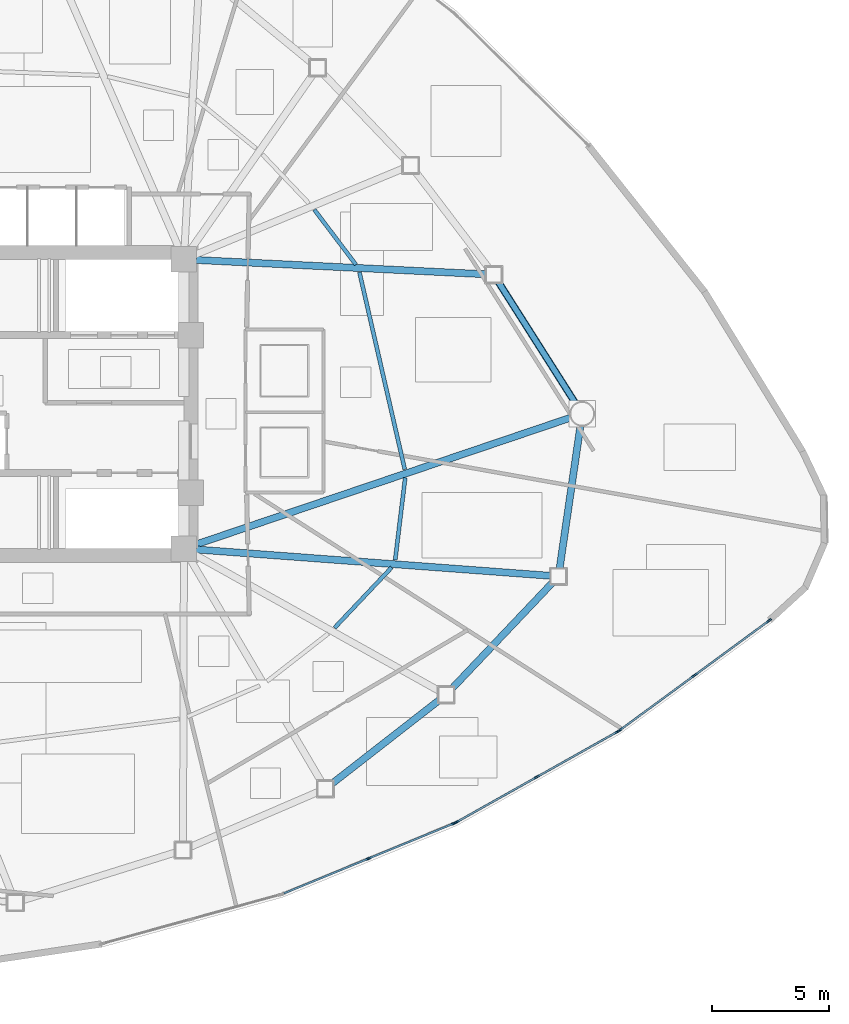
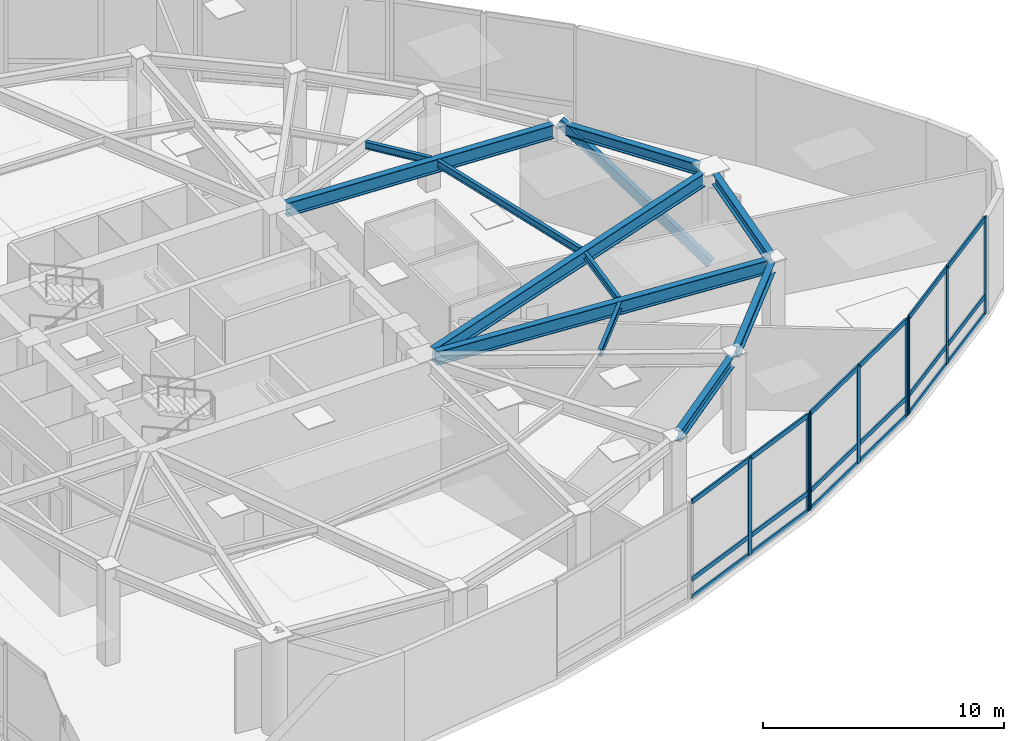
# One storey, part 5 of 14: 27 members, 11 beams, 3 elements without a shape of their own.
"""IFC4 building model written with IfcOpenShell, lengths in metres."""

import ifcopenshell
import ifcopenshell.guid

model = None  # the IFC model being written
_history = None  # IfcOwnerHistory: only IFC2X3 demands one
_inside = {}  # id of a spatial element -> (the spatial element, [elements in it])
_under = {}  # id of a project, library or spatial element -> (it, [spatial elements below it])
_declared = {}  # id of a project -> (the project, [libraries it declares])
_typed = {}  # id of a type object -> (the type object, [elements of that type])
_made_of = {}  # id of a material, layer set ... -> (it, [elements and type objects made of it])


def new_model(schema):
    """Start an empty IFC model of exactly this schema.

    Asked for "IFC4X3", IfcOpenShell would pick the latest addendum, in which some entities
    have other attributes; the version numbers below select the first issue.
    IFC2X3 requires an IfcOwnerHistory on every rooted entity: one is made here for all.
    """
    global model, _history
    if schema == "IFC4X3":
        model = ifcopenshell.file(schema_version=(4, 3, 0, 0))
    else:
        model = ifcopenshell.file(schema=schema)
    _inside.clear()
    _under.clear()
    _declared.clear()
    _typed.clear()
    _made_of.clear()
    _history = None
    if model.schema == "IFC2X3":
        org = make("IfcOrganization", Name="unknown")
        user = make(
            "IfcPersonAndOrganization",
            ThePerson=make("IfcPerson", FamilyName="unknown"),
            TheOrganization=org,
        )
        app = make(
            "IfcApplication",
            ApplicationDeveloper=org,
            Version="unknown",
            ApplicationFullName="unknown",
            ApplicationIdentifier="unknown",
        )
        _history = make(
            "IfcOwnerHistory",
            OwningUser=user,
            OwningApplication=app,
            ChangeAction="ADDED",
            CreationDate=0,
        )
    return model


def make(cls, **values):
    """One entity of the class cls with the attributes given. An attribute that is None is left unset."""
    return model.create_entity(
        cls, **{name: value for name, value in values.items() if value is not None}
    )


def rooted(cls, **values):
    """An entity with a GlobalId (a new one), such as an element, a storey or a relation."""
    return make(cls, GlobalId=ifcopenshell.guid.new(), OwnerHistory=_history, **values)


def si_unit(unit_type, name, prefix=None):
    """IfcSIUnit, for example si_unit("LENGTHUNIT", "METRE", prefix="MILLI")."""
    return make("IfcSIUnit", UnitType=unit_type, Prefix=prefix, Name=name)


def assignment(units):
    """IfcUnitAssignment: the units of a project."""
    return None if units is None else make("IfcUnitAssignment", Units=units)


def point(xyz):
    """IfcCartesianPoint."""
    return None if xyz is None else make("IfcCartesianPoint", Coordinates=xyz)


def direction(xyz):
    """IfcDirection."""
    return None if xyz is None else make("IfcDirection", DirectionRatios=xyz)


def frame(location, z_axis=None, x_axis=None):
    """IfcAxis2Placement3D, a coordinate frame: its origin and axes. An axis left out is left unset."""
    return make(
        "IfcAxis2Placement3D",
        Location=point(location),
        Axis=direction(z_axis),
        RefDirection=direction(x_axis),
    )


def frame_2d(location, x_axis=None):
    """IfcAxis2Placement2D, a coordinate frame in the plane: its origin and x axis."""
    return make(
        "IfcAxis2Placement2D", Location=point(location), RefDirection=direction(x_axis)
    )


def origin():
    """The frame at (0, 0, 0) with its axes left unset."""
    return frame((0.0, 0.0, 0.0))


def origin_2d():
    """The frame at (0, 0) in the plane with its x axis left unset."""
    return frame_2d((0.0, 0.0))


def place(relative_to, where):
    """IfcLocalPlacement: puts the frame where relative to a parent placement (None: the world)."""
    return make(
        "IfcLocalPlacement", PlacementRelTo=relative_to, RelativePlacement=where
    )


def context(
    kind, dimensions, precision=None, world=None, true_north=None, identifier=None
):
    """IfcGeometricRepresentationContext, for example the 3D "Model" context."""
    return make(
        "IfcGeometricRepresentationContext",
        ContextIdentifier=identifier,
        ContextType=kind,
        CoordinateSpaceDimension=dimensions,
        Precision=precision,
        WorldCoordinateSystem=world,
        TrueNorth=true_north,
    )


def subcontext(parent, identifier, kind, view, scale=None):
    """IfcGeometricRepresentationSubContext, for example "Body" below "Model"."""
    return make(
        "IfcGeometricRepresentationSubContext",
        ContextIdentifier=identifier,
        ContextType=kind,
        ParentContext=parent,
        TargetScale=scale,
        TargetView=view,
    )


def project(units=None, contexts=None):
    """IfcProject with its units and contexts."""
    return rooted(
        "IfcProject",
        Name="project",
        RepresentationContexts=contexts,
        UnitsInContext=assignment(units),
    )


def spatial(cls, under=None, at=None, **own):
    """A site, building, storey or space (cls), placed at a placement, below another one or the project."""
    s = rooted(cls, ObjectPlacement=at, **own)
    if under is not None:
        _under.setdefault(under.id(), (under, []))[1].append(s)
    return s


def profile(cls, at=None, kind="AREA", **sizes):
    """A parametric profile (cls). Its sizes go by their IFC names, for example OverallWidth=200.0."""
    return make(cls, ProfileType=kind, Position=at, **sizes)


def hollow_rectangle(**sizes):
    """IfcRectangleHollowProfileDef."""
    return profile("IfcRectangleHollowProfileDef", **sizes)


def i_section(**sizes):
    """IfcIShapeProfileDef."""
    return profile("IfcIShapeProfileDef", **sizes)


def extrude(swept, where, along, depth):
    """IfcExtrudedAreaSolid: the profile swept, set in the frame where, extruded along a direction by depth."""
    return make(
        "IfcExtrudedAreaSolid",
        SweptArea=swept,
        Position=where,
        ExtrudedDirection=direction(along),
        Depth=depth,
    )


def shape(context_of_items, identifier, shape_type, items):
    """IfcShapeRepresentation: the items that make up one representation, for example the "Body"."""
    return make(
        "IfcShapeRepresentation",
        ContextOfItems=context_of_items,
        RepresentationIdentifier=identifier,
        RepresentationType=shape_type,
        Items=items,
    )


def source(mapping_origin, context_of_items, identifier, shape_type, items):
    """IfcRepresentationMap: a shape defined once, which mapped items show again and again."""
    return make(
        "IfcRepresentationMap",
        MappingOrigin=mapping_origin,
        MappedRepresentation=shape(context_of_items, identifier, shape_type, items),
    )


def transform(
    local_origin,
    x_axis=None,
    y_axis=None,
    z_axis=None,
    scale=None,
    scale2=None,
    scale3=None,
    uniform=True,
):
    """IfcCartesianTransformationOperator3D, or its non-uniform kind. x_axis, y_axis, z_axis: its Axis1, 2, 3."""
    if uniform:
        return make(
            "IfcCartesianTransformationOperator3D",
            Axis1=direction(x_axis),
            Axis2=direction(y_axis),
            LocalOrigin=point(local_origin),
            Scale=scale,
            Axis3=direction(z_axis),
        )
    return make(
        "IfcCartesianTransformationOperator3DnonUniform",
        Axis1=direction(x_axis),
        Axis2=direction(y_axis),
        LocalOrigin=point(local_origin),
        Scale=scale,
        Axis3=direction(z_axis),
        Scale2=scale2,
        Scale3=scale3,
    )


def mapped(mapping_source, mapping_target):
    """IfcMappedItem: shows the shape of a source again, moved by a transform."""
    return make(
        "IfcMappedItem", MappingSource=mapping_source, MappingTarget=mapping_target
    )


def material(Name=None, Category=None):
    """IfcMaterial."""
    return make("IfcMaterial", Name=Name, Category=Category)


def layer(
    of_material, thickness, ventilated=None, Name=None, Category=None, Priority=None
):
    """IfcMaterialLayer: one layer of a wall or slab, of a material (None: an air gap)."""
    return make(
        "IfcMaterialLayer",
        Material=of_material,
        LayerThickness=thickness,
        IsVentilated=ventilated,
        Name=Name,
        Category=Category,
        Priority=Priority,
    )


def layer_set(layers, Name=None):
    """IfcMaterialLayerSet."""
    return make("IfcMaterialLayerSet", MaterialLayers=layers, LayerSetName=Name)


def material_profile(
    of_material, cross_section, Name=None, Category=None, Priority=None
):
    """IfcMaterialProfile: a cross section and its material."""
    return make(
        "IfcMaterialProfile",
        Name=Name,
        Material=of_material,
        Profile=cross_section,
        Priority=Priority,
        Category=Category,
    )


def profile_set(profiles, Name=None, composite=None):
    """IfcMaterialProfileSet."""
    return make(
        "IfcMaterialProfileSet",
        Name=Name,
        MaterialProfiles=profiles,
        CompositeProfile=composite,
    )


def made_of(thing, what):
    """Note that an element or type object is made of a material, layer set ...; save() writes the relation."""
    if what is not None:
        _made_of.setdefault(what.id(), (what, []))[1].append(thing)
    return thing


def type_object(cls, material=None, **own):
    """A type object (cls), such as IfcWallType, which elements share."""
    return made_of(rooted(cls, **own), material)


def type_shapes(of_type, sources):
    """Give a type object the sources (RepresentationMaps) that its elements show as mapped items."""
    of_type.RepresentationMaps = sources


def element(
    cls,
    number,
    at=None,
    inside=None,
    cuts=None,
    type_object=None,
    material=None,
    context=None,
    identifier="Body",
    shape_type=None,
    held_by="IfcProductDefinitionShape",
    body=None,
    shapes=None,
    **own,
):
    """One element of the class cls, such as IfcWall. Its Tag is "e" and its number.

    at: its placement. inside: the storey or other place that contains it. cuts: it is an
    opening in that element (IfcRelVoidsElement). A single representation is given by context,
    identifier, shape_type and body (its items); several are given by shapes. held_by: the class
    of the entity that holds the representations. save() writes the other relations.
    """
    e = rooted(cls, Tag="e%d" % number, ObjectPlacement=at, **own)
    if body is not None:
        shapes = [shape(context, identifier, shape_type, body)]
    if shapes is not None:
        e.Representation = make(held_by, Representations=shapes)
    if inside is not None:
        _inside.setdefault(inside.id(), (inside, []))[1].append(e)
    if cuts is not None:
        rooted(
            "IfcRelVoidsElement", RelatingBuildingElement=cuts, RelatedOpeningElement=e
        )
    if type_object is not None:
        _typed.setdefault(type_object.id(), (type_object, []))[1].append(e)
    return made_of(e, material)


def aggregate(whole, parts):
    """IfcRelAggregates: a whole, such as a stair, and the parts it consists of."""
    return rooted("IfcRelAggregates", RelatingObject=whole, RelatedObjects=parts)


def save(model, path):
    """Write the relations noted so far, then the file.

    IfcRelAggregates (storeys below a building ...), IfcRelContainedInSpatialStructure (elements
    in a storey), IfcRelDefinesByType, IfcRelAssociatesMaterial and IfcRelDeclares: one each for
    every whole, place, type object, material and project.
    """
    for whole, parts in _under.values():
        aggregate(whole, parts)
    for where, things in _inside.values():
        rooted(
            "IfcRelContainedInSpatialStructure",
            RelatedElements=things,
            RelatingStructure=where,
        )
    for kind, things in _typed.values():
        rooted("IfcRelDefinesByType", RelatedObjects=things, RelatingType=kind)
    for what, things in _made_of.values():
        rooted("IfcRelAssociatesMaterial", RelatedObjects=things, RelatingMaterial=what)
    for by, libraries in _declared.values():
        rooted("IfcRelDeclares", RelatingContext=by, RelatedDefinitions=libraries)
    model.write(path)


model = new_model("IFC4")

# Units and contexts
model_context = context("Model", 3, precision=1e-05, world=origin(), true_north=direction((0.0, 1.0)))
body_context = subcontext(model_context, "Body", "Model", "MODEL_VIEW")
ifc_project = project(units=[si_unit("LENGTHUNIT", "METRE"), si_unit("AREAUNIT", "SQUARE_METRE"), si_unit("VOLUMEUNIT", "CUBIC_METRE"), si_unit("PLANEANGLEUNIT", "RADIAN"), si_unit("MASSUNIT", "GRAM", prefix="KILO")], contexts=[model_context])

# Site, building, storey
site_placement = place(None, origin())
site = spatial("IfcSite", under=ifc_project, at=site_placement, CompositionType="ELEMENT")
building_placement = place(site_placement, origin())
building = spatial("IfcBuilding", under=site, at=building_placement, Name="Tavelor Broadcast Tower", CompositionType="ELEMENT")
storey_placement = place(building_placement, frame((0.0, 0.0, 110.39990234375)))
storey = spatial("IfcBuildingStorey", under=building, at=storey_placement, Name="L25", CompositionType="ELEMENT", Elevation=110.39990234375)

# Beams
ifc_material_1 = material(Name="Steel S355", Category="steel")
ifc_material_profile_1 = material_profile(ifc_material_1, i_section(OverallWidth=0.169921875, OverallDepth=0.360107421875, WebThickness=0.008056640625, FlangeThickness=0.0126953125, at=origin_2d()), Name="IPE 360")
ifc_profile_set_1 = profile_set([ifc_material_profile_1], Name="Steel S355")
beam_type_1 = type_object("IfcBeamType", Name="Composite Floor Joist T3 IPE 360", PredefinedType="JOIST", material=ifc_profile_set_1)
beam_1_placement = place(storey_placement, frame((63.05859375, 35.39990234375, 4.72021484375), z_axis=(0.686806065531, 0.726840717317, 0.0), x_axis=(-0.726840717317, 0.686806065531, 0.0)))
element("IfcBeam", 1, at=beam_1_placement, inside=storey, type_object=beam_type_1, Name="L25 Secondary Composite Floor Joist 11", PredefinedType="JOIST", context=body_context, shape_type="SweptSolid", body=[
    extrude(i_section(OverallWidth=0.169921875, OverallDepth=0.360107421875, WebThickness=0.008056640625, FlangeThickness=0.0126953125, at=origin_2d()), origin(), (0.0, 0.0, 1.0), 3.573486328125),
])
beam_2_placement = place(storey_placement, frame((65.6591796875, 38.30859375, 4.72021484375), z_axis=(0.120874566199, 0.992667788964, 0.0), x_axis=(-0.992667788964, 0.120874566199, 0.0)))
element("IfcBeam", 2, at=beam_2_placement, inside=storey, type_object=beam_type_1, Name="L25 Secondary Composite Floor Joist 12", PredefinedType="JOIST", context=body_context, shape_type="SweptSolid", body=[
    extrude(i_section(OverallWidth=0.169921875, OverallDepth=0.360107421875, WebThickness=0.008056640625, FlangeThickness=0.0126953125, at=origin_2d()), origin(), (0.0, 0.0, 1.0), 3.556884765625),
])
beam_3_placement = place(storey_placement, frame((66.0703125, 42.1953125, 4.72021484375), z_axis=(-0.224119909946, 0.974561576282, 0.0), x_axis=(-0.974561576282, -0.224119909946, 0.0)))
element("IfcBeam", 3, at=beam_3_placement, inside=storey, type_object=beam_type_1, Name="L25 Secondary Composite Floor Joist 13", PredefinedType="JOIST", context=body_context, shape_type="SweptSolid", body=[
    extrude(i_section(OverallWidth=0.169921875, OverallDepth=0.360107421875, WebThickness=0.008056640625, FlangeThickness=0.0126953125, at=origin_2d()), origin(), (0.0, 0.0, 1.0), 8.6796875),
])
beam_4_placement = place(storey_placement, frame((63.97509765625, 50.974853515625, 4.72021484375), z_axis=(-0.603343158319, 0.797481682116, 0.0), x_axis=(-0.797481682116, -0.603343158319, 0.0)))
element("IfcBeam", 4, at=beam_4_placement, inside=storey, type_object=beam_type_1, Name="L25 Secondary Composite Floor Joist 14", PredefinedType="JOIST", context=body_context, shape_type="SweptSolid", body=[
    extrude(i_section(OverallWidth=0.169921875, OverallDepth=0.360107421875, WebThickness=0.008056640625, FlangeThickness=0.0126953125, at=origin_2d()), origin(), (0.0, 0.0, 1.0), 2.951416015625),
])
ifc_material_profile_2 = material_profile(ifc_material_1, i_section(OverallWidth=0.300048828125, OverallDepth=0.550048828125, WebThickness=0.014892578125, FlangeThickness=0.029052734375, at=origin_2d()), Name="HEB 550")
ifc_profile_set_2 = profile_set([ifc_material_profile_2], Name="Steel S355")
beam_type_2 = type_object("IfcBeamType", Name="Perimeter Spandrel Beam T3 HEB 550", PredefinedType="SPANDREL", material=ifc_profile_set_2)
beam_5_placement = place(storey_placement, frame((62.934326171875, 28.709716796875, 4.625), z_axis=(0.788970059341, 0.614431644257, 0.0), x_axis=(-0.614431644257, 0.788970059341, 0.0)))
element("IfcBeam", 5, at=beam_5_placement, inside=storey, type_object=beam_type_2, Name="L25 Framed-Tube Ring Spandrel 10", PredefinedType="SPANDREL", context=body_context, shape_type="SweptSolid", body=[
    extrude(i_section(OverallWidth=0.300048828125, OverallDepth=0.550048828125, WebThickness=0.014892578125, FlangeThickness=0.029052734375, at=origin_2d()), origin(), (0.0, 0.0, 1.0), 5.884765625),
])
beam_6_placement = place(storey_placement, frame((68.073486328125, 32.775390625, 4.625), z_axis=(0.688378130541, 0.72535201757, 0.0), x_axis=(-0.72535201757, 0.688378130541, 0.0)))
element("IfcBeam", 6, at=beam_6_placement, inside=storey, type_object=beam_type_2, Name="L25 Framed-Tube Ring Spandrel 11", PredefinedType="SPANDREL", context=body_context, shape_type="SweptSolid", body=[
    extrude(i_section(OverallWidth=0.300048828125, OverallDepth=0.550048828125, WebThickness=0.014892578125, FlangeThickness=0.029052734375, at=origin_2d()), origin(), (0.0, 0.0, 1.0), 6.32568359375),
])
beam_7_placement = place(storey_placement, frame((72.707763671875, 37.93994140625, 4.625), z_axis=(0.144294035731, 0.989534856007, 0.0), x_axis=(-0.989534856007, 0.144294035731, 0.0)))
element("IfcBeam", 7, at=beam_7_placement, inside=storey, type_object=beam_type_2, Name="L25 Framed-Tube Ring Spandrel 12", PredefinedType="SPANDREL", context=body_context, shape_type="SweptSolid", body=[
    extrude(i_section(OverallWidth=0.300048828125, OverallDepth=0.550048828125, WebThickness=0.014892578125, FlangeThickness=0.029052734375, at=origin_2d()), origin(), (0.0, 0.0, 1.0), 6.19775390625),
])
beam_8_placement = place(storey_placement, frame((73.4013671875, 45.01171875, 4.625), z_axis=(-0.536283466807, 0.844037939449, 0.0), x_axis=(-0.844037939449, -0.536283466807, 0.0)))
element("IfcBeam", 8, at=beam_8_placement, inside=storey, type_object=beam_type_2, Name="L25 Framed-Tube Ring Spandrel 13", PredefinedType="SPANDREL", context=body_context, shape_type="SweptSolid", body=[
    extrude(i_section(OverallWidth=0.300048828125, OverallDepth=0.550048828125, WebThickness=0.014892578125, FlangeThickness=0.029052734375, at=origin_2d()), origin(), (0.0, 0.0, 1.0), 6.21875),
])

# Member
ifc_material_profile_3 = material_profile(ifc_material_1, hollow_rectangle(XDim=0.25, YDim=0.449951171875, WallThickness=0.02001953125, at=origin_2d()), Name="RHS 450x250x20")
ifc_profile_set_3 = profile_set([ifc_material_profile_3], Name="Steel S355")
member_type_1 = type_object("IfcMemberType", Name="Perimeter Tube Brace T3 RHS 450x250x20", PredefinedType="BRACE", material=ifc_profile_set_3)
member_1_placement = place(storey_placement, frame((73.676025390625, 44.57958984375, 0.0), z_axis=(-0.440725218296, 0.693594293235, 0.569814213889), x_axis=(-0.844021198089, -0.536309814544, 0.0)))
element("IfcMember", 9, at=member_1_placement, inside=storey, type_object=member_type_1, Name="L25 Corner Tube Diagonal Brace 3", PredefinedType="BRACE", context=body_context, shape_type="SweptSolid", body=[
    extrude(hollow_rectangle(XDim=0.25, YDim=0.449951171875, WallThickness=0.02001953125, at=origin_2d()), origin(), (0.0, 0.0, 1.0), 8.599609375),
])

# Beams
ifc_material_profile_4 = material_profile(ifc_material_1, i_section(OverallWidth=0.300048828125, OverallDepth=0.68994140625, WebThickness=0.014404296875, FlangeThickness=0.027099609375, at=origin_2d()), Name="HEA 700")
ifc_profile_set_4 = profile_set([ifc_material_profile_4], Name="Steel S355")
beam_type_3 = type_object("IfcBeamType", Name="Radial Floor Girder T3 HEA 700", PredefinedType="BEAM", material=ifc_profile_set_4)
beam_9_placement = place(storey_placement, frame((57.126708984375, 38.760986328125, 4.55517578125), z_axis=(0.997253617312, -0.074062289721, 0.0), x_axis=(0.074062289721, 0.997253617312, 0.0)))
element("IfcBeam", 10, at=beam_9_placement, inside=storey, type_object=beam_type_3, Name="L25 Radial Primary Floor Girder 12", PredefinedType="BEAM", context=body_context, shape_type="SweptSolid", body=[
    extrude(i_section(OverallWidth=0.300048828125, OverallDepth=0.68994140625, WebThickness=0.014404296875, FlangeThickness=0.027099609375, at=origin_2d()), origin(), (0.0, 0.0, 1.0), 15.2392578125),
])
beam_10_placement = place(storey_placement, frame((57.10009765625, 38.96923828125, 4.55517578125), z_axis=(0.947217379582, 0.32059200835, 0.0), x_axis=(-0.32059200835, 0.947217379582, 0.0)))
element("IfcBeam", 11, at=beam_10_placement, inside=storey, type_object=beam_type_3, Name="L25 Radial Primary Floor Girder 13", PredefinedType="BEAM", context=body_context, shape_type="SweptSolid", body=[
    extrude(i_section(OverallWidth=0.300048828125, OverallDepth=0.68994140625, WebThickness=0.014404296875, FlangeThickness=0.027099609375, at=origin_2d()), origin(), (0.0, 0.0, 1.0), 16.987548828125),
])
beam_11_placement = place(storey_placement, frame((57.12744140625, 51.174072265625, 4.55517578125), z_axis=(0.998783710906, -0.04930617435, 0.0), x_axis=(0.04930617435, 0.998783710906, 0.0)))
element("IfcBeam", 12, at=beam_11_placement, inside=storey, type_object=beam_type_3, Name="L25 Radial Primary Floor Girder 14", PredefinedType="BEAM", context=body_context, shape_type="SweptSolid", body=[
    extrude(i_section(OverallWidth=0.300048828125, OverallDepth=0.68994140625, WebThickness=0.014404296875, FlangeThickness=0.027099609375, at=origin_2d()), origin(), (0.0, 0.0, 1.0), 12.438232421875),
])

# Curtain wall, members
ifc_material_2 = material(Name="Architectural Anodized Aluminium", Category="aluminium")
ifc_layer = layer(ifc_material_2, 0.239990234375)
ifc_layer_set = layer_set([ifc_layer], Name="Architectural Anodized Aluminium")
curtain_wall_type = type_object("IfcCurtainWallType", Name="Sky Lobby Feature Structural Curtain Wall CW05", PredefinedType="NOTDEFINED", material=ifc_layer_set)
curtain_wall_1_placement = place(storey_placement, origin())
curtain_wall_1 = element("IfcCurtainWall", 13, at=curtain_wall_1_placement, inside=storey, type_object=curtain_wall_type, Name="L25 Curtain Wall CW05 Run 246", PredefinedType="NOTDEFINED")
ifc_material_profile_5 = material_profile(ifc_material_2, hollow_rectangle(XDim=0.080078125, YDim=0.239990234375, WallThickness=0.02197265625, at=origin_2d()), Name="RHS 80x240x22")
ifc_profile_set_5 = profile_set([ifc_material_profile_5], Name="Architectural Anodized Aluminium")
member_type_2 = type_object("IfcMemberType", Name="CW05 Extruded Aluminium Mullion 80x240", PredefinedType="MULLION", material=ifc_profile_set_5)
shared_shape_1 = source(origin(), body_context, "Body", "SweptSolid", [
    extrude(hollow_rectangle(XDim=0.080078125, YDim=0.239990234375, WallThickness=0.02197265625, at=origin_2d()), origin(), (0.0, 0.0, 1.0), 4.900146484375),
])
type_shapes(member_type_2, [shared_shape_1])
member_2_placement = place(storey_placement, frame((64.513671875, 25.50830078125, 0.0), z_axis=(0.0, 0.0, 1.0), x_axis=(-0.380668782856, 0.924711456487, 0.0)))
member_2 = element("IfcMember", 14, at=member_2_placement, type_object=member_type_2, Name="CW05 mullion 2", PredefinedType="MULLION", context=body_context, shape_type="MappedRepresentation", body=[
    mapped(shared_shape_1, transform((0.0, 0.0, 0.0), scale=1.0)),
])
member_3_placement = place(storey_placement, frame((68.17919921875, 27.017333984375, 0.0), z_axis=(0.0, 0.0, 1.0), x_axis=(-0.380668782856, 0.924711456487, 0.0)))
member_3 = element("IfcMember", 15, at=member_3_placement, type_object=member_type_2, Name="CW05 mullion 3", PredefinedType="MULLION", context=body_context, shape_type="MappedRepresentation", body=[
    mapped(shared_shape_1, transform((0.0, 0.0, 0.0), scale=1.0)),
])

curtain_wall_2_placement = place(storey_placement, origin())
curtain_wall_2 = element("IfcCurtainWall", 16, at=curtain_wall_2_placement, inside=storey, type_object=curtain_wall_type, Name="L25 Curtain Wall CW05 Run 247", PredefinedType="NOTDEFINED")
member_4_placement = place(storey_placement, frame((68.278076171875, 27.065185546875, 0.0), z_axis=(0.0, 0.0, 1.0), x_axis=(-0.489772618031, 0.87185020653, 0.0)))
member_4 = element("IfcMember", 17, at=member_4_placement, type_object=member_type_2, Name="CW05 mullion 1", PredefinedType="MULLION", context=body_context, shape_type="MappedRepresentation", body=[
    mapped(shared_shape_1, transform((0.0, 0.0, 0.0), scale=1.0)),
])
member_5_placement = place(storey_placement, frame((71.73388671875, 29.006591796875, 0.0), z_axis=(0.0, 0.0, 1.0), x_axis=(-0.489772618031, 0.87185020653, 0.0)))
member_5 = element("IfcMember", 18, at=member_5_placement, type_object=member_type_2, Name="CW05 mullion 2", PredefinedType="MULLION", context=body_context, shape_type="MappedRepresentation", body=[
    mapped(shared_shape_1, transform((0.0, 0.0, 0.0), scale=1.0)),
])
member_6_placement = place(storey_placement, frame((75.18994140625, 30.947998046875, 0.0), z_axis=(0.0, 0.0, 1.0), x_axis=(-0.489772618031, 0.87185020653, 0.0)))
member_6 = element("IfcMember", 19, at=member_6_placement, type_object=member_type_2, Name="CW05 mullion 3", PredefinedType="MULLION", context=body_context, shape_type="MappedRepresentation", body=[
    mapped(shared_shape_1, transform((0.0, 0.0, 0.0), scale=1.0)),
])

curtain_wall_3_placement = place(storey_placement, origin())
curtain_wall_3 = element("IfcCurtainWall", 20, at=curtain_wall_3_placement, inside=storey, type_object=curtain_wall_type, Name="L25 Curtain Wall CW05 Run 248", PredefinedType="NOTDEFINED")
member_7_placement = place(storey_placement, frame((75.2822265625, 31.007568359375, 0.0), z_axis=(0.0, 0.0, 1.0), x_axis=(-0.591676452467, 0.806175524061, 0.0)))
member_7 = element("IfcMember", 21, at=member_7_placement, type_object=member_type_2, Name="CW05 mullion 1", PredefinedType="MULLION", context=body_context, shape_type="MappedRepresentation", body=[
    mapped(shared_shape_1, transform((0.0, 0.0, 0.0), scale=1.0)),
])
member_8_placement = place(storey_placement, frame((78.484130859375, 33.357666015625, 0.0), z_axis=(0.0, 0.0, 1.0), x_axis=(-0.591676452467, 0.806175524061, 0.0)))
member_8 = element("IfcMember", 22, at=member_8_placement, type_object=member_type_2, Name="CW05 mullion 2", PredefinedType="MULLION", context=body_context, shape_type="MappedRepresentation", body=[
    mapped(shared_shape_1, transform((0.0, 0.0, 0.0), scale=1.0)),
])
member_9_placement = place(storey_placement, frame((81.686279296875, 35.707763671875, 0.0), z_axis=(0.0, 0.0, 1.0), x_axis=(-0.591676452467, 0.806175524061, 0.0)))
member_9 = element("IfcMember", 23, at=member_9_placement, type_object=member_type_2, Name="CW05 mullion 3", PredefinedType="MULLION", context=body_context, shape_type="MappedRepresentation", body=[
    mapped(shared_shape_1, transform((0.0, 0.0, 0.0), scale=1.0)),
])

# Member
ifc_material_profile_6 = material_profile(ifc_material_2, hollow_rectangle(XDim=0.080078125, YDim=0.239990234375, WallThickness=0.02197265625, at=origin_2d()), Name="RHS 80x240x22")
ifc_profile_set_6 = profile_set([ifc_material_profile_6], Name="Architectural Anodized Aluminium")
member_type_3 = type_object("IfcMemberType", Name="CW05 Extruded Aluminium Transom 80x240", PredefinedType="USERDEFINED", material=ifc_profile_set_6)
shared_shape_2 = source(origin(), body_context, "Body", "SweptSolid", [
    extrude(hollow_rectangle(XDim=0.080078125, YDim=0.239990234375, WallThickness=0.02197265625, at=origin_2d()), origin(), (0.0, 0.0, 1.0), 3.884033203125),
])
member_10_placement = place(storey_placement, frame((60.885009765625, 24.0146484375, 0.0400390625), z_axis=(0.924710640152, 0.380670765873, 0.0), x_axis=(-0.380670765873, 0.924710640152, 0.0)))
member_10 = element("IfcMember", 24, at=member_10_placement, type_object=member_type_3, Name="CW05 transom 1.1", ObjectType="TRANSOM", PredefinedType="USERDEFINED", context=body_context, shape_type="MappedRepresentation", body=[
    mapped(shared_shape_2, transform((0.0, 0.0, 0.0), scale=1.0)),
])

member_11_placement = place(storey_placement, frame((60.885009765625, 24.0146484375, 0.9501953125), z_axis=(0.924710640152, 0.380670765873, 0.0), x_axis=(-0.380670765873, 0.924710640152, 0.0)))
member_11 = element("IfcMember", 25, at=member_11_placement, type_object=member_type_3, Name="CW05 transom 1.2", ObjectType="TRANSOM", PredefinedType="USERDEFINED", context=body_context, shape_type="MappedRepresentation", body=[
    mapped(shared_shape_2, transform((0.0, 0.0, 0.0), scale=1.0)),
])

member_12_placement = place(storey_placement, frame((60.885009765625, 24.0146484375, 4.860107421875), z_axis=(0.924710640152, 0.380670765873, 0.0), x_axis=(-0.380670765873, 0.924710640152, 0.0)))
member_12 = element("IfcMember", 26, at=member_12_placement, type_object=member_type_3, Name="CW05 transom 1.3", ObjectType="TRANSOM", PredefinedType="USERDEFINED", context=body_context, shape_type="MappedRepresentation", body=[
    mapped(shared_shape_2, transform((0.0, 0.0, 0.0), scale=1.0)),
])

member_13_placement = place(storey_placement, frame((68.312744140625, 27.084716796875, 0.0400390625), z_axis=(0.871840644277, 0.489789639525, 0.0), x_axis=(-0.489789639525, 0.871840644277, 0.0)))
member_13 = element("IfcMember", 27, at=member_13_placement, type_object=member_type_3, Name="CW05 transom 1.1", ObjectType="TRANSOM", PredefinedType="USERDEFINED", context=body_context, shape_type="MappedRepresentation", body=[
    mapped(shared_shape_2, transform((0.0, 0.0, 0.0), scale=1.0)),
])

member_14_placement = place(storey_placement, frame((68.312744140625, 27.084716796875, 0.9501953125), z_axis=(0.871840644277, 0.489789639525, 0.0), x_axis=(-0.489789639525, 0.871840644277, 0.0)))
member_14 = element("IfcMember", 28, at=member_14_placement, type_object=member_type_3, Name="CW05 transom 1.2", ObjectType="TRANSOM", PredefinedType="USERDEFINED", context=body_context, shape_type="MappedRepresentation", body=[
    mapped(shared_shape_2, transform((0.0, 0.0, 0.0), scale=1.0)),
])

member_15_placement = place(storey_placement, frame((68.312744140625, 27.084716796875, 4.860107421875), z_axis=(0.871840644277, 0.489789639525, 0.0), x_axis=(-0.489789639525, 0.871840644277, 0.0)))
member_15 = element("IfcMember", 29, at=member_15_placement, type_object=member_type_3, Name="CW05 transom 1.3", ObjectType="TRANSOM", PredefinedType="USERDEFINED", context=body_context, shape_type="MappedRepresentation", body=[
    mapped(shared_shape_2, transform((0.0, 0.0, 0.0), scale=1.0)),
])

member_16_placement = place(storey_placement, frame((71.768798828125, 29.026123046875, 0.0400390625), z_axis=(0.871840644277, 0.489789639525, 0.0), x_axis=(-0.489789639525, 0.871840644277, 0.0)))
member_16 = element("IfcMember", 30, at=member_16_placement, type_object=member_type_3, Name="CW05 transom 2.1", ObjectType="TRANSOM", PredefinedType="USERDEFINED", context=body_context, shape_type="MappedRepresentation", body=[
    mapped(shared_shape_2, transform((0.0, 0.0, 0.0), scale=1.0)),
])

member_17_placement = place(storey_placement, frame((71.768798828125, 29.026123046875, 0.9501953125), z_axis=(0.871840644277, 0.489789639525, 0.0), x_axis=(-0.489789639525, 0.871840644277, 0.0)))
member_17 = element("IfcMember", 31, at=member_17_placement, type_object=member_type_3, Name="CW05 transom 2.2", ObjectType="TRANSOM", PredefinedType="USERDEFINED", context=body_context, shape_type="MappedRepresentation", body=[
    mapped(shared_shape_2, transform((0.0, 0.0, 0.0), scale=1.0)),
])

member_18_placement = place(storey_placement, frame((71.768798828125, 29.026123046875, 4.860107421875), z_axis=(0.871840644277, 0.489789639525, 0.0), x_axis=(-0.489789639525, 0.871840644277, 0.0)))
member_18 = element("IfcMember", 32, at=member_18_placement, type_object=member_type_3, Name="CW05 transom 2.3", ObjectType="TRANSOM", PredefinedType="USERDEFINED", context=body_context, shape_type="MappedRepresentation", body=[
    mapped(shared_shape_2, transform((0.0, 0.0, 0.0), scale=1.0)),
])

aggregate(curtain_wall_2, [member_4, member_5, member_6, member_13, member_14, member_15, member_16, member_17, member_18])

shared_shape_3 = source(origin(), body_context, "Body", "SweptSolid", [
    extrude(hollow_rectangle(XDim=0.080078125, YDim=0.239990234375, WallThickness=0.02197265625, at=origin_2d()), origin(), (0.0, 0.0, 1.0), 3.89208984375),
])
member_19_placement = place(storey_placement, frame((78.516357421875, 33.38134765625, 0.0400390625), z_axis=(0.806189561666, 0.591657325368, 0.0), x_axis=(-0.591657325368, 0.806189561666, 0.0)))
member_19 = element("IfcMember", 33, at=member_19_placement, type_object=member_type_3, Name="CW05 transom 2.1", ObjectType="TRANSOM", PredefinedType="USERDEFINED", context=body_context, shape_type="MappedRepresentation", body=[
    mapped(shared_shape_3, transform((0.0, 0.0, 0.0), scale=1.0)),
])

member_20_placement = place(storey_placement, frame((78.516357421875, 33.38134765625, 0.9501953125), z_axis=(0.806189561666, 0.591657325368, 0.0), x_axis=(-0.591657325368, 0.806189561666, 0.0)))
member_20 = element("IfcMember", 34, at=member_20_placement, type_object=member_type_3, Name="CW05 transom 2.2", ObjectType="TRANSOM", PredefinedType="USERDEFINED", context=body_context, shape_type="MappedRepresentation", body=[
    mapped(shared_shape_3, transform((0.0, 0.0, 0.0), scale=1.0)),
])

member_21_placement = place(storey_placement, frame((78.516357421875, 33.38134765625, 4.860107421875), z_axis=(0.806189561666, 0.591657325368, 0.0), x_axis=(-0.591657325368, 0.806189561666, 0.0)))
member_21 = element("IfcMember", 35, at=member_21_placement, type_object=member_type_3, Name="CW05 transom 2.3", ObjectType="TRANSOM", PredefinedType="USERDEFINED", context=body_context, shape_type="MappedRepresentation", body=[
    mapped(shared_shape_3, transform((0.0, 0.0, 0.0), scale=1.0)),
])

shared_shape_4 = source(origin(), body_context, "Body", "SweptSolid", [
    extrude(hollow_rectangle(XDim=0.080078125, YDim=0.239990234375, WallThickness=0.02197265625, at=origin_2d()), origin(), (0.0, 0.0, 1.0), 3.88427734375),
])
member_22_placement = place(storey_placement, frame((64.550537109375, 25.5234375, 0.0400390625), z_axis=(0.92471974819, 0.380648640228, 0.0), x_axis=(-0.380648640228, 0.92471974819, 0.0)))
member_22 = element("IfcMember", 36, at=member_22_placement, type_object=member_type_3, Name="CW05 transom 2.1", ObjectType="TRANSOM", PredefinedType="USERDEFINED", context=body_context, shape_type="MappedRepresentation", body=[
    mapped(shared_shape_4, transform((0.0, 0.0, 0.0), scale=1.0)),
])

member_23_placement = place(storey_placement, frame((64.550537109375, 25.5234375, 0.9501953125), z_axis=(0.92471974819, 0.380648640228, 0.0), x_axis=(-0.380648640228, 0.92471974819, 0.0)))
member_23 = element("IfcMember", 37, at=member_23_placement, type_object=member_type_3, Name="CW05 transom 2.2", ObjectType="TRANSOM", PredefinedType="USERDEFINED", context=body_context, shape_type="MappedRepresentation", body=[
    mapped(shared_shape_4, transform((0.0, 0.0, 0.0), scale=1.0)),
])

member_24_placement = place(storey_placement, frame((64.550537109375, 25.5234375, 4.860107421875), z_axis=(0.92471974819, 0.380648640228, 0.0), x_axis=(-0.380648640228, 0.92471974819, 0.0)))
member_24 = element("IfcMember", 38, at=member_24_placement, type_object=member_type_3, Name="CW05 transom 2.3", ObjectType="TRANSOM", PredefinedType="USERDEFINED", context=body_context, shape_type="MappedRepresentation", body=[
    mapped(shared_shape_4, transform((0.0, 0.0, 0.0), scale=1.0)),
])

aggregate(curtain_wall_1, [member_2, member_3, member_10, member_11, member_12, member_22, member_23, member_24])

shared_shape_5 = source(origin(), body_context, "Body", "SweptSolid", [
    extrude(hollow_rectangle(XDim=0.080078125, YDim=0.239990234375, WallThickness=0.02197265625, at=origin_2d()), origin(), (0.0, 0.0, 1.0), 3.891845703125),
])
type_shapes(member_type_3, [shared_shape_2, shared_shape_3, shared_shape_4, shared_shape_5])
member_25_placement = place(storey_placement, frame((75.314453125, 31.03125, 0.0400390625), z_axis=(0.806167601283, 0.59168724732, 0.0), x_axis=(-0.59168724732, 0.806167601283, 0.0)))
member_25 = element("IfcMember", 39, at=member_25_placement, type_object=member_type_3, Name="CW05 transom 1.1", ObjectType="TRANSOM", PredefinedType="USERDEFINED", context=body_context, shape_type="MappedRepresentation", body=[
    mapped(shared_shape_5, transform((0.0, 0.0, 0.0), scale=1.0)),
])

member_26_placement = place(storey_placement, frame((75.314453125, 31.03125, 0.9501953125), z_axis=(0.806167601283, 0.59168724732, 0.0), x_axis=(-0.59168724732, 0.806167601283, 0.0)))
member_26 = element("IfcMember", 40, at=member_26_placement, type_object=member_type_3, Name="CW05 transom 1.2", ObjectType="TRANSOM", PredefinedType="USERDEFINED", context=body_context, shape_type="MappedRepresentation", body=[
    mapped(shared_shape_5, transform((0.0, 0.0, 0.0), scale=1.0)),
])

member_27_placement = place(storey_placement, frame((75.314453125, 31.03125, 4.860107421875), z_axis=(0.806167601283, 0.59168724732, 0.0), x_axis=(-0.59168724732, 0.806167601283, 0.0)))
member_27 = element("IfcMember", 41, at=member_27_placement, type_object=member_type_3, Name="CW05 transom 1.3", ObjectType="TRANSOM", PredefinedType="USERDEFINED", context=body_context, shape_type="MappedRepresentation", body=[
    mapped(shared_shape_5, transform((0.0, 0.0, 0.0), scale=1.0)),
])

aggregate(curtain_wall_3, [member_7, member_8, member_9, member_25, member_26, member_27, member_19, member_20, member_21])

save(model, "model.ifc")
